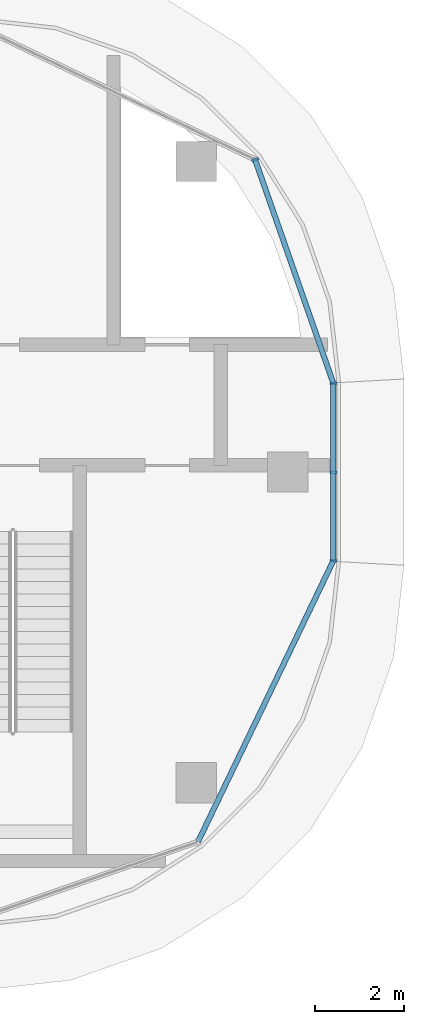
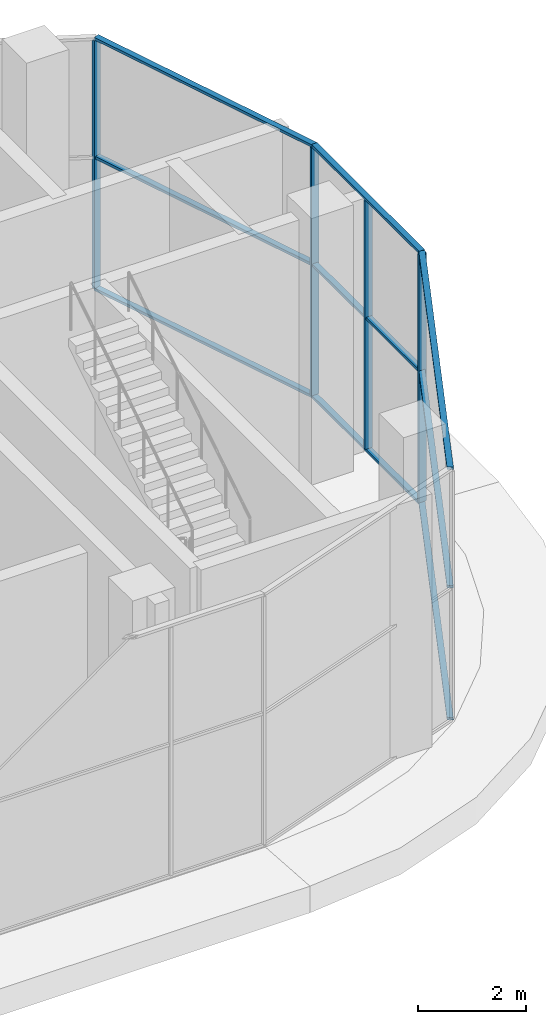
# One storey, part 11 of 23: 13 members, 3 elements without a shape of their own.
"""IFC4 building model written with IfcOpenShell, lengths in metres."""

from ifc_helpers import new_model, si_unit, direction, frame, origin, origin_2d, place, context, subcontext, project, spatial, rectangle, extrude, material, material_profile, profile_set, type_object, element, aggregate, save


model = new_model("IFC4")

# Units and contexts
model_context = context("Model", 3, precision=1e-05, world=origin(), true_north=direction((0.0, 1.0)))
body_context = subcontext(model_context, "Body", "Model", "MODEL_VIEW")
ifc_project = project(units=[si_unit("LENGTHUNIT", "METRE"), si_unit("AREAUNIT", "SQUARE_METRE"), si_unit("VOLUMEUNIT", "CUBIC_METRE"), si_unit("PLANEANGLEUNIT", "RADIAN"), si_unit("MASSUNIT", "GRAM", prefix="KILO")], contexts=[model_context])

# Site, building, storey
site_placement = place(None, origin())
site = spatial("IfcSite", under=ifc_project, at=site_placement, CompositionType="ELEMENT")
building_placement = place(site_placement, origin())
building = spatial("IfcBuilding", under=site, at=building_placement, Name="Ogive Portal Towers", CompositionType="ELEMENT")
storey_placement = place(building_placement, frame((0.0, 0.0, 260.89990234375)))
storey = spatial("IfcBuildingStorey", under=building, at=storey_placement, Name="L64", CompositionType="ELEMENT", Elevation=260.89990234375)

# Curtain wall, members
ifc_material_1 = material(Name="Glass, clear low-iron insulated glazing", Category="glass")
curtain_wall_type = type_object("IfcCurtainWallType", Name="CW OBSERVATION WALL", PredefinedType="NOTDEFINED", material=ifc_material_1)
curtain_wall_1_placement = place(storey_placement, origin())
curtain_wall_1 = element("IfcCurtainWall", 1, at=curtain_wall_1_placement, inside=storey, type_object=curtain_wall_type, Name="A:L64:f08:cw0", PredefinedType="NOTDEFINED")
ifc_material_2 = material(Name="Aluminium 6063 anodised", Category="aluminium")
ifc_material_profile_1 = material_profile(ifc_material_2, rectangle(XDim=0.159912109375, YDim=0.06005859375, at=origin_2d()), Name="AL 60x160")
ifc_profile_set_1 = profile_set([ifc_material_profile_1], Name="Aluminium 6063 anodised")
member_type_1 = type_object("IfcMemberType", Name="CW MULLION 60x160", PredefinedType="MULLION", material=ifc_profile_set_1)
member_1_placement = place(storey_placement, frame((95.52001953125, 28.518310546875, 0.06005859375), z_axis=(0.0, 0.0, 1.0), x_axis=(-1.0, 0.0, 0.0)))
member_1 = element("IfcMember", 2, at=member_1_placement, type_object=member_type_1, Name="mullion", PredefinedType="MULLION", context=body_context, shape_type="SweptSolid", body=[
    extrude(rectangle(XDim=0.159912109375, YDim=0.06005859375, at=origin_2d()), origin(), (0.0, 0.0, 1.0), 5.580078125),
])
member_2_placement = place(storey_placement, frame((95.52001953125, 30.5, 0.06005859375), z_axis=(0.0, 0.0, 1.0), x_axis=(-1.0, 0.0, 0.0)))
member_2 = element("IfcMember", 3, at=member_2_placement, type_object=member_type_1, Name="mullion", PredefinedType="MULLION", context=body_context, shape_type="SweptSolid", body=[
    extrude(rectangle(XDim=0.159912109375, YDim=0.06005859375, at=origin_2d()), origin(), (0.0, 0.0, 1.0), 5.580078125),
])
member_3_placement = place(storey_placement, frame((95.52001953125, 32.486328125, 0.06005859375), z_axis=(0.0, 0.0, 1.0), x_axis=(-1.0, 0.0, 0.0)))
member_3 = element("IfcMember", 4, at=member_3_placement, type_object=member_type_1, Name="mullion", PredefinedType="MULLION", context=body_context, shape_type="SweptSolid", body=[
    extrude(rectangle(XDim=0.159912109375, YDim=0.06005859375, at=origin_2d()), origin(), (0.0, 0.0, 1.0), 5.580078125),
])

# Curtain wall, member
curtain_wall_2_placement = place(storey_placement, origin())
curtain_wall_2 = element("IfcCurtainWall", 5, at=curtain_wall_2_placement, inside=storey, type_object=curtain_wall_type, Name="A:L64:f09:cwa", PredefinedType="NOTDEFINED")
member_4_placement = place(storey_placement, frame((93.768310546875, 37.49267578125, 0.06005859375), z_axis=(0.0, 0.0, 1.0), x_axis=(-0.943883330307, -0.33027906196, 0.0)))
member_4 = element("IfcMember", 6, at=member_4_placement, type_object=member_type_1, Name="mullion", PredefinedType="MULLION", context=body_context, shape_type="SweptSolid", body=[
    extrude(rectangle(XDim=0.159912109375, YDim=0.06005859375, at=origin_2d()), origin(), (0.0, 0.0, 1.0), 5.580078125),
])

# Member
ifc_material_profile_2 = material_profile(ifc_material_2, rectangle(XDim=0.1201171875, YDim=0.06005859375, at=origin_2d()), Name="AL 120x60")
ifc_profile_set_2 = profile_set([ifc_material_profile_2], Name="Aluminium 6063 anodised")
member_type_2 = type_object("IfcMemberType", Name="CW TRANSOM 60x120", PredefinedType="USERDEFINED", material=ifc_profile_set_2)
member_5_placement = place(storey_placement, frame((95.52001953125, 28.518310546875, 0.030029296875), z_axis=(0.0, 1.0, 0.0), x_axis=(-1.0, 0.0, 0.0)))
member_5 = element("IfcMember", 7, at=member_5_placement, type_object=member_type_2, Name="transom", ObjectType="TRANSOM", PredefinedType="USERDEFINED", context=body_context, shape_type="SweptSolid", body=[
    extrude(rectangle(XDim=0.1201171875, YDim=0.06005859375, at=origin_2d()), origin(), (0.0, 0.0, 1.0), 3.968017578125),
])

member_6_placement = place(storey_placement, frame((95.52001953125, 28.518310546875, 3.0), z_axis=(0.0, 1.0, 0.0), x_axis=(-1.0, 0.0, 0.0)))
member_6 = element("IfcMember", 8, at=member_6_placement, type_object=member_type_2, Name="transom", ObjectType="TRANSOM", PredefinedType="USERDEFINED", context=body_context, shape_type="SweptSolid", body=[
    extrude(rectangle(XDim=0.1201171875, YDim=0.06005859375, at=origin_2d()), origin(), (0.0, 0.0, 1.0), 3.968017578125),
])

member_7_placement = place(storey_placement, frame((95.52001953125, 28.518310546875, 5.670166015625), z_axis=(0.0, 1.0, 0.0), x_axis=(-1.0, 0.0, 0.0)))
member_7 = element("IfcMember", 9, at=member_7_placement, type_object=member_type_2, Name="transom", ObjectType="TRANSOM", PredefinedType="USERDEFINED", context=body_context, shape_type="SweptSolid", body=[
    extrude(rectangle(XDim=0.1201171875, YDim=0.06005859375, at=origin_2d()), origin(), (0.0, 0.0, 1.0), 3.968017578125),
])

aggregate(curtain_wall_1, [member_5, member_6, member_7, member_1, member_2, member_3])

# Curtain wall, members
curtain_wall_3_placement = place(storey_placement, origin())
curtain_wall_3 = element("IfcCurtainWall", 10, at=curtain_wall_3_placement, inside=storey, type_object=curtain_wall_type, Name="A:L64:f06:cwa", PredefinedType="NOTDEFINED")
member_8_placement = place(storey_placement, frame((92.49267578125, 22.231689453125, 0.030029296875), z_axis=(0.433868218983, 0.90097634184, 0.0), x_axis=(-0.90097634184, 0.433868218983, 0.0)))
member_8 = element("IfcMember", 11, at=member_8_placement, type_object=member_type_2, Name="transom", ObjectType="TRANSOM", PredefinedType="USERDEFINED", context=body_context, shape_type="SweptSolid", body=[
    extrude(rectangle(XDim=0.1201171875, YDim=0.06005859375, at=origin_2d()), origin(), (0.0, 0.0, 1.0), 6.9775390625),
])
member_9_placement = place(storey_placement, frame((92.49267578125, 22.231689453125, 3.0), z_axis=(0.433868218983, 0.90097634184, 0.0), x_axis=(-0.90097634184, 0.433868218983, 0.0)))
member_9 = element("IfcMember", 12, at=member_9_placement, type_object=member_type_2, Name="transom", ObjectType="TRANSOM", PredefinedType="USERDEFINED", context=body_context, shape_type="SweptSolid", body=[
    extrude(rectangle(XDim=0.1201171875, YDim=0.06005859375, at=origin_2d()), origin(), (0.0, 0.0, 1.0), 6.9775390625),
])
member_10_placement = place(storey_placement, frame((92.49267578125, 22.231689453125, 5.670166015625), z_axis=(0.433868218983, 0.90097634184, 0.0), x_axis=(-0.90097634184, 0.433868218983, 0.0)))
member_10 = element("IfcMember", 13, at=member_10_placement, type_object=member_type_2, Name="transom", ObjectType="TRANSOM", PredefinedType="USERDEFINED", context=body_context, shape_type="SweptSolid", body=[
    extrude(rectangle(XDim=0.1201171875, YDim=0.06005859375, at=origin_2d()), origin(), (0.0, 0.0, 1.0), 6.9775390625),
])
aggregate(curtain_wall_3, [member_8, member_9, member_10])

# Member
member_11_placement = place(storey_placement, frame((95.52001953125, 32.486328125, 0.030029296875), z_axis=(-0.330264309567, 0.943888492263, 0.0), x_axis=(-0.943888492263, -0.330264309567, 0.0)))
member_11 = element("IfcMember", 14, at=member_11_placement, type_object=member_type_2, Name="transom", ObjectType="TRANSOM", PredefinedType="USERDEFINED", context=body_context, shape_type="SweptSolid", body=[
    extrude(rectangle(XDim=0.1201171875, YDim=0.06005859375, at=origin_2d()), origin(), (0.0, 0.0, 1.0), 5.303955078125),
])

member_12_placement = place(storey_placement, frame((95.52001953125, 32.486328125, 3.0), z_axis=(-0.330264309567, 0.943888492263, 0.0), x_axis=(-0.943888492263, -0.330264309567, 0.0)))
member_12 = element("IfcMember", 15, at=member_12_placement, type_object=member_type_2, Name="transom", ObjectType="TRANSOM", PredefinedType="USERDEFINED", context=body_context, shape_type="SweptSolid", body=[
    extrude(rectangle(XDim=0.1201171875, YDim=0.06005859375, at=origin_2d()), origin(), (0.0, 0.0, 1.0), 5.303955078125),
])

member_13_placement = place(storey_placement, frame((95.52001953125, 32.486328125, 5.670166015625), z_axis=(-0.330264309567, 0.943888492263, 0.0), x_axis=(-0.943888492263, -0.330264309567, 0.0)))
member_13 = element("IfcMember", 16, at=member_13_placement, type_object=member_type_2, Name="transom", ObjectType="TRANSOM", PredefinedType="USERDEFINED", context=body_context, shape_type="SweptSolid", body=[
    extrude(rectangle(XDim=0.1201171875, YDim=0.06005859375, at=origin_2d()), origin(), (0.0, 0.0, 1.0), 5.303955078125),
])

aggregate(curtain_wall_2, [member_11, member_12, member_13, member_4])

save(model, "model.ifc")
